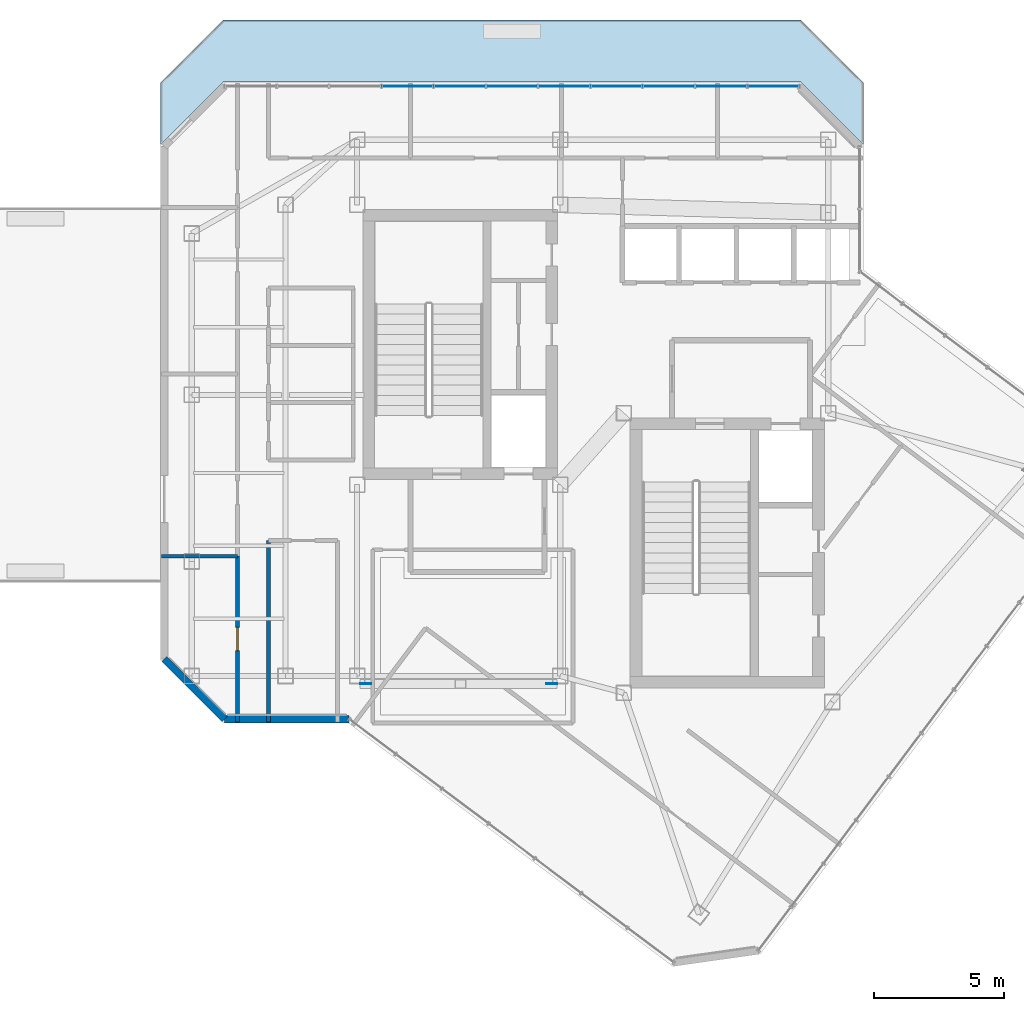
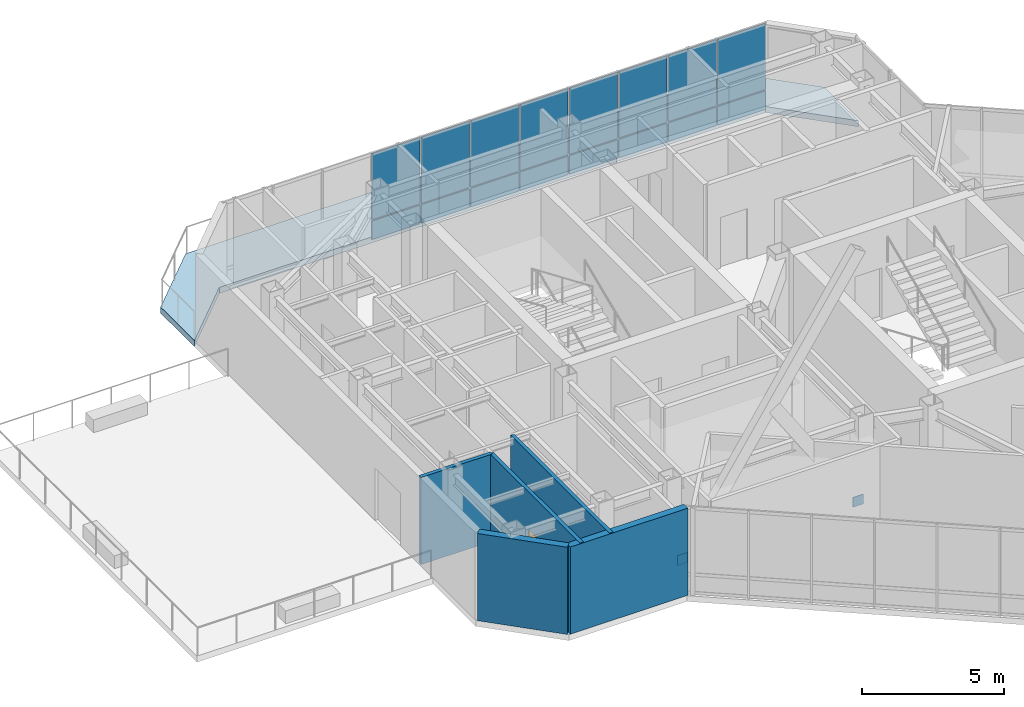
# One storey, part 15 of 21: 18 plates, 5 walls, 1 door, 1 slab, 1 opening, 1 element without a shape of its own.
"""IFC4 building model written with IfcOpenShell, lengths in metres."""

from ifc_helpers import new_model, si_unit, direction, frame, frame_2d, origin, origin_2d, place, context, subcontext, project, spatial, polyline, rectangle, outline, extrude, material, layer, layer_set, type_object, element, fill, aggregate, save


model = new_model("IFC4")

# Units and contexts
model_context = context("Model", 3, precision=1e-05, world=origin(), true_north=direction((0.0, 1.0)))
body_context = subcontext(model_context, "Body", "Model", "MODEL_VIEW")
ifc_project = project(units=[si_unit("LENGTHUNIT", "METRE"), si_unit("AREAUNIT", "SQUARE_METRE"), si_unit("VOLUMEUNIT", "CUBIC_METRE"), si_unit("PLANEANGLEUNIT", "RADIAN"), si_unit("MASSUNIT", "GRAM", prefix="KILO")], contexts=[model_context])

# Site, building, storey
site_placement = place(None, origin())
site = spatial("IfcSite", under=ifc_project, at=site_placement, CompositionType="ELEMENT")
building_placement = place(site_placement, origin())
building = spatial("IfcBuilding", under=site, at=building_placement, Name="Hatsunagi Terrace Concourse", CompositionType="ELEMENT")
storey_placement = place(building_placement, frame((0.0, 0.0, 265.949951171875)))
storey = spatial("IfcBuildingStorey", under=building, at=storey_placement, Name="L70", CompositionType="ELEMENT", Elevation=265.949951171875)

# Curtain wall, plates
ifc_material_1 = material(Name="Anodised Aluminium Alloy 6063-T5", Category="aluminium")
ifc_layer_1 = layer(ifc_material_1, 0.199951171875)
ifc_layer_set_1 = layer_set([ifc_layer_1], Name="CrownWintergarden_CW06")
curtain_wall_type = type_object("IfcCurtainWallType", Name="CrownWintergarden_CW06", PredefinedType="NOTDEFINED", material=ifc_layer_set_1)
curtain_wall_placement = place(storey_placement, origin())
curtain_wall = element("IfcCurtainWall", 1, at=curtain_wall_placement, inside=storey, type_object=curtain_wall_type, Name="Unitised Curtain Wall CW-06 CW-L70-10", PredefinedType="NOTDEFINED")
ifc_material_2 = material(Name="Warm Terracotta Ceramic Spandrel Panel", Category="masonry")
ifc_layer_2 = layer(ifc_material_2, 0.031982421875)
ifc_layer_set_2 = layer_set([ifc_layer_2], Name="CurtainWallSpandrelPanel_32")
plate_type_1 = type_object("IfcPlateType", Name="CurtainWallSpandrelPanel_32", PredefinedType="SHEET", material=ifc_layer_set_2)
plate_1_placement = place(storey_placement, frame((27.485107421875, 47.860107421875, 0.030029296875), z_axis=(0.0, 0.0, 1.0), x_axis=(1.0, 0.0, 0.0)))
plate_1 = element("IfcPlate", 2, at=plate_1_placement, type_object=plate_type_1, Name="Terracotta Spandrel Panel SPN-01", PredefinedType="SHEET", context=body_context, shape_type="SweptSolid", body=[
    extrude(rectangle(XDim=1.952880859375, YDim=0.031982421875, at=origin_2d()), origin(), (0.0, 0.0, 1.0), 0.7900390625),
])
plate_2_placement = place(storey_placement, frame((29.491943359375, 47.860107421875, 0.030029296875), z_axis=(0.0, 0.0, 1.0), x_axis=(1.0, 0.0, 0.0)))
plate_2 = element("IfcPlate", 3, at=plate_2_placement, type_object=plate_type_1, Name="Terracotta Spandrel Panel SPN-01", PredefinedType="SHEET", context=body_context, shape_type="SweptSolid", body=[
    extrude(rectangle(XDim=1.952880859375, YDim=0.031982421875, at=origin_2d()), origin(), (0.0, 0.0, 1.0), 0.7900390625),
])
plate_3_placement = place(storey_placement, frame((31.5, 47.860107421875, 0.030029296875), z_axis=(0.0, 0.0, 1.0), x_axis=(1.0, 0.0, 0.0)))
plate_3 = element("IfcPlate", 4, at=plate_3_placement, type_object=plate_type_1, Name="Terracotta Spandrel Panel SPN-01", PredefinedType="SHEET", context=body_context, shape_type="SweptSolid", body=[
    extrude(rectangle(XDim=1.952880859375, YDim=0.031982421875, at=origin_2d()), origin(), (0.0, 0.0, 1.0), 0.7900390625),
])
plate_4_placement = place(storey_placement, frame((33.508056640625, 47.860107421875, 0.030029296875), z_axis=(0.0, 0.0, 1.0), x_axis=(1.0, 0.0, 0.0)))
plate_4 = element("IfcPlate", 5, at=plate_4_placement, type_object=plate_type_1, Name="Terracotta Spandrel Panel SPN-01", PredefinedType="SHEET", context=body_context, shape_type="SweptSolid", body=[
    extrude(rectangle(XDim=1.952880859375, YDim=0.031982421875, at=origin_2d()), origin(), (0.0, 0.0, 1.0), 0.7900390625),
])
plate_5_placement = place(storey_placement, frame((35.514892578125, 47.860107421875, 0.030029296875), z_axis=(0.0, 0.0, 1.0), x_axis=(1.0, 0.0, 0.0)))
plate_5 = element("IfcPlate", 6, at=plate_5_placement, type_object=plate_type_1, Name="Terracotta Spandrel Panel SPN-01", PredefinedType="SHEET", context=body_context, shape_type="SweptSolid", body=[
    extrude(rectangle(XDim=1.952880859375, YDim=0.031982421875, at=origin_2d()), origin(), (0.0, 0.0, 1.0), 0.7900390625),
])
plate_6_placement = place(storey_placement, frame((37.52294921875, 47.860107421875, 0.030029296875), z_axis=(0.0, 0.0, 1.0), x_axis=(1.0, 0.0, 0.0)))
plate_6 = element("IfcPlate", 7, at=plate_6_placement, type_object=plate_type_1, Name="Terracotta Spandrel Panel SPN-01", PredefinedType="SHEET", context=body_context, shape_type="SweptSolid", body=[
    extrude(rectangle(XDim=1.952880859375, YDim=0.031982421875, at=origin_2d()), origin(), (0.0, 0.0, 1.0), 0.7900390625),
])
plate_7_placement = place(storey_placement, frame((39.531005859375, 47.860107421875, 0.030029296875), z_axis=(0.0, 0.0, 1.0), x_axis=(1.0, 0.0, 0.0)))
plate_7 = element("IfcPlate", 8, at=plate_7_placement, type_object=plate_type_1, Name="Terracotta Spandrel Panel SPN-01", PredefinedType="SHEET", context=body_context, shape_type="SweptSolid", body=[
    extrude(rectangle(XDim=1.952880859375, YDim=0.031982421875, at=origin_2d()), origin(), (0.0, 0.0, 1.0), 0.7900390625),
])
plate_8_placement = place(storey_placement, frame((41.5380859375, 47.860107421875, 0.030029296875), z_axis=(0.0, 0.0, 1.0), x_axis=(1.0, 0.0, 0.0)))
plate_8 = element("IfcPlate", 9, at=plate_8_placement, type_object=plate_type_1, Name="Terracotta Spandrel Panel SPN-01", PredefinedType="SHEET", context=body_context, shape_type="SweptSolid", body=[
    extrude(rectangle(XDim=1.952880859375, YDim=0.031982421875, at=origin_2d()), origin(), (0.0, 0.0, 1.0), 0.7900390625),
])
ifc_material_3 = material(Name="Low-E Double Insulating Glass 28mm", Category="glass")
ifc_layer_3 = layer(ifc_material_3, 0.028076171875)
ifc_layer_set_3 = layer_set([ifc_layer_3], Name="CurtainWallVisionGlass_28")
plate_type_2 = type_object("IfcPlateType", Name="CurtainWallVisionGlass_28", PredefinedType="CURTAIN_PANEL", material=ifc_layer_set_3)
plate_9_placement = place(storey_placement, frame((27.485107421875, 47.860107421875, 0.8798828125), z_axis=(0.0, 0.0, 1.0), x_axis=(1.0, 0.0, 0.0)))
plate_9 = element("IfcPlate", 10, at=plate_9_placement, type_object=plate_type_2, Name="Low-E Vision Glass Panel GLZ-01", PredefinedType="CURTAIN_PANEL", context=body_context, shape_type="SweptSolid", body=[
    extrude(rectangle(XDim=1.952880859375, YDim=0.028076171875, at=origin_2d()), origin(), (0.0, 0.0, 1.0), 2.840087890625),
])
plate_10_placement = place(storey_placement, frame((29.491943359375, 47.860107421875, 0.8798828125), z_axis=(0.0, 0.0, 1.0), x_axis=(1.0, 0.0, 0.0)))
plate_10 = element("IfcPlate", 11, at=plate_10_placement, type_object=plate_type_2, Name="Low-E Vision Glass Panel GLZ-01", PredefinedType="CURTAIN_PANEL", context=body_context, shape_type="SweptSolid", body=[
    extrude(rectangle(XDim=1.952880859375, YDim=0.028076171875, at=origin_2d()), origin(), (0.0, 0.0, 1.0), 2.840087890625),
])
plate_11_placement = place(storey_placement, frame((31.5, 47.860107421875, 0.8798828125), z_axis=(0.0, 0.0, 1.0), x_axis=(1.0, 0.0, 0.0)))
plate_11 = element("IfcPlate", 12, at=plate_11_placement, type_object=plate_type_2, Name="Low-E Vision Glass Panel GLZ-01", PredefinedType="CURTAIN_PANEL", context=body_context, shape_type="SweptSolid", body=[
    extrude(rectangle(XDim=1.952880859375, YDim=0.028076171875, at=origin_2d()), origin(), (0.0, 0.0, 1.0), 2.840087890625),
])
plate_12_placement = place(storey_placement, frame((33.508056640625, 47.860107421875, 0.8798828125), z_axis=(0.0, 0.0, 1.0), x_axis=(1.0, 0.0, 0.0)))
plate_12 = element("IfcPlate", 13, at=plate_12_placement, type_object=plate_type_2, Name="Low-E Vision Glass Panel GLZ-01", PredefinedType="CURTAIN_PANEL", context=body_context, shape_type="SweptSolid", body=[
    extrude(rectangle(XDim=1.952880859375, YDim=0.028076171875, at=origin_2d()), origin(), (0.0, 0.0, 1.0), 2.840087890625),
])
plate_13_placement = place(storey_placement, frame((35.514892578125, 47.860107421875, 0.8798828125), z_axis=(0.0, 0.0, 1.0), x_axis=(1.0, 0.0, 0.0)))
plate_13 = element("IfcPlate", 14, at=plate_13_placement, type_object=plate_type_2, Name="Low-E Vision Glass Panel GLZ-01", PredefinedType="CURTAIN_PANEL", context=body_context, shape_type="SweptSolid", body=[
    extrude(rectangle(XDim=1.952880859375, YDim=0.028076171875, at=origin_2d()), origin(), (0.0, 0.0, 1.0), 2.840087890625),
])
plate_14_placement = place(storey_placement, frame((37.52294921875, 47.860107421875, 0.8798828125), z_axis=(0.0, 0.0, 1.0), x_axis=(1.0, 0.0, 0.0)))
plate_14 = element("IfcPlate", 15, at=plate_14_placement, type_object=plate_type_2, Name="Low-E Vision Glass Panel GLZ-01", PredefinedType="CURTAIN_PANEL", context=body_context, shape_type="SweptSolid", body=[
    extrude(rectangle(XDim=1.952880859375, YDim=0.028076171875, at=origin_2d()), origin(), (0.0, 0.0, 1.0), 2.840087890625),
])
plate_15_placement = place(storey_placement, frame((39.531005859375, 47.860107421875, 0.8798828125), z_axis=(0.0, 0.0, 1.0), x_axis=(1.0, 0.0, 0.0)))
plate_15 = element("IfcPlate", 16, at=plate_15_placement, type_object=plate_type_2, Name="Low-E Vision Glass Panel GLZ-01", PredefinedType="CURTAIN_PANEL", context=body_context, shape_type="SweptSolid", body=[
    extrude(rectangle(XDim=1.952880859375, YDim=0.028076171875, at=origin_2d()), origin(), (0.0, 0.0, 1.0), 2.840087890625),
])
plate_16_placement = place(storey_placement, frame((41.5380859375, 47.860107421875, 0.8798828125), z_axis=(0.0, 0.0, 1.0), x_axis=(1.0, 0.0, 0.0)))
plate_16 = element("IfcPlate", 17, at=plate_16_placement, type_object=plate_type_2, Name="Low-E Vision Glass Panel GLZ-01", PredefinedType="CURTAIN_PANEL", context=body_context, shape_type="SweptSolid", body=[
    extrude(rectangle(XDim=1.952880859375, YDim=0.028076171875, at=origin_2d()), origin(), (0.0, 0.0, 1.0), 2.840087890625),
])
aggregate(curtain_wall, [plate_1, plate_9, plate_2, plate_10, plate_3, plate_11, plate_4, plate_12, plate_5, plate_13, plate_6, plate_14, plate_7, plate_15, plate_8, plate_16])

# Slab
ifc_material_4 = material(Name="Concrete Fc42", Category="concrete")
ifc_layer_4 = layer(ifc_material_4, 0.260009765625)
ifc_layer_set_4 = layer_set([ifc_layer_4], Name="SkyGardenTerraceSlab_Fc42_260")
slab_type = type_object("IfcSlabType", Name="SkyGardenTerraceSlab_Fc42_260", PredefinedType="ROOF", material=ifc_layer_set_4)
slab_placement = place(storey_placement, frame((0.0, 0.0, -0.25)))
element("IfcSlab", 18, at=slab_placement, inside=storey, type_object=slab_type, Name="Crown Step Terrace TER-L70-2", PredefinedType="ROOF", context=body_context, shape_type="SweptSolid", body=[
    extrude(outline(polyline([(18.0, 48.0), (18.0, 45.616943359375), (20.39501953125, 48.011962890625), (42.60498046875, 48.011962890625), (45.0, 45.616943359375), (45.0, 48.0), (42.60009765625, 50.39990234375), (20.39990234375, 50.39990234375), (18.0, 48.0)])), origin(), (0.0, 0.0, 1.0), 0.260009765625),
])

# Plates
ifc_material_5 = material(Name="Steel SN490C", Category="steel")
ifc_layer_5 = layer(ifc_material_5, 0.031982421875)
ifc_layer_set_5 = layer_set([ifc_layer_5], Name="XBraceNodeCapPlate_32")
plate_type_3 = type_object("IfcPlateType", Name="XBraceNodeCapPlate_32", PredefinedType="USERDEFINED", material=ifc_layer_set_5)
for number, where, z_axis, x_axis, name in (
    (19, (25.875, 24.89990234375, 0.22998046875), (0.0, 0.0, 1.0), (1.0, 0.0, 0.0), "Cast-In Core and Node Embed Plate GP-02 EP-XB-L70-SE-AB"),
    (20, (33.02490234375, 24.89990234375, 0.22998046875), (0.0, 0.0, 1.0), (1.0, 0.0, 0.0), "Cast-In Core and Node Embed Plate GP-02 EP-XB-L70-SE-BB"),
):
    element("IfcPlate", number, at=place(storey_placement, frame(where, z_axis=z_axis, x_axis=x_axis)), inside=storey, type_object=plate_type_3, Name=name, ObjectType="GUSSET_PLATE", PredefinedType="USERDEFINED", context=body_context, shape_type="SweptSolid", body=[
        extrude(rectangle(XDim=0.419921875, YDim=0.031982421875, at=origin_2d()), origin(), (0.0, 0.0, 1.0), 0.419921875),
    ])

# Wall
ifc_material_6 = material(Name="Acoustic mineral board", Category="gypsum")
ifc_layer_6 = layer(ifc_material_6, 0.14990234375)
ifc_layer_set_6 = layer_set([ifc_layer_6], Name="PartitionWall_EI60_150")
wall_type_1 = type_object("IfcWallType", Name="PartitionWall_EI60_150", PredefinedType="PARTITIONING", material=ifc_layer_set_6)
wall_1_placement = place(storey_placement, frame((18.0400390625, 29.800048828125, 0.0), z_axis=(0.0, 0.0, 1.0), x_axis=(1.0, 0.0, 0.0)))
element("IfcWall", 21, at=wall_1_placement, inside=storey, type_object=wall_type_1, Name="Interior Partition IW-L70-041", PredefinedType="PARTITIONING", context=body_context, shape_type="SweptSolid", body=[
    extrude(rectangle(XDim=2.909912109375, YDim=0.14990234375, at=frame_2d((1.455078125, 0.0))), origin(), (0.0, 0.0, 1.0), 3.75),
])

# Wall, opening, door
wall_2_placement = place(storey_placement, frame((20.949951171875, 23.43994140625, 0.0), z_axis=(0.0, 0.0, 1.0), x_axis=(0.0, 1.0, 0.0)))
wall_2 = element("IfcWall", 22, at=wall_2_placement, inside=storey, type_object=wall_type_1, Name="Interior Partition IW-L70-042", PredefinedType="PARTITIONING", context=body_context, shape_type="SweptSolid", body=[
    extrude(rectangle(XDim=6.360107421875, YDim=0.14990234375, at=frame_2d((3.18017578125, 0.0))), origin(), (0.0, 0.0, 1.0), 3.75),
])
opening_placement = place(wall_2_placement, frame((2.72998046875, 0.0, 0.0)))
opening = element("IfcOpeningElement", 23, at=opening_placement, cuts=wall_2, Name="Opening DR-090", PredefinedType="OPENING", context=body_context, shape_type="SweptSolid", body=[
    extrude(rectangle(XDim=0.89990234375, YDim=2.14990234375, at=frame_2d((0.449951171875, 1.074951171875))), frame((0.0, 0.0849609375, 0.0), z_axis=(0.0, -1.0, 0.0), x_axis=(1.0, 0.0, 0.0)), (0.0, 0.0, 1.0), 0.169921875),
])
ifc_material_7 = material(Name="Hardwood timber", Category="wood")
door_type = type_object("IfcDoorType", Name="CrownPavilionDoor_EI30_900", OperationType="NOTDEFINED", PredefinedType="DOOR", material=ifc_material_7)
door_placement = place(opening_placement, origin())
door = element("IfcDoor", 24, at=door_placement, inside=storey, type_object=door_type, Name="Crown Executive Suite L70-CRW1 Door", OperationType="SINGLE_SWING_RIGHT", OverallHeight=2.14990234375, OverallWidth=0.89990234375, PredefinedType="DOOR", context=body_context, shape_type="SweptSolid", body=[
    extrude(rectangle(XDim=0.89990234375, YDim=2.14990234375, at=frame_2d((0.449951171875, 1.074951171875))), frame((0.0, 0.02490234375, 0.0), z_axis=(0.0, -1.0, 0.0), x_axis=(1.0, 0.0, 0.0)), (0.0, 0.0, 1.0), 0.050048828125),
])
fill(opening, door)

# Walls
wall_3_placement = place(storey_placement, frame((22.14990234375, 23.43994140625, 0.0), z_axis=(0.0, 0.0, 1.0), x_axis=(0.0, 1.0, 0.0)))
element("IfcWall", 25, at=wall_3_placement, inside=storey, type_object=wall_type_1, Name="Interior Partition IW-L70-049", PredefinedType="PARTITIONING", context=body_context, shape_type="SweptSolid", body=[
    extrude(rectangle(XDim=6.9599609375, YDim=0.14990234375, at=frame_2d((3.47998046875, 0.0))), origin(), (0.0, 0.0, 1.0), 3.75),
])
ifc_material_8 = material(Name="Autoclaved Lightweight Concrete and Terracotta Cladding", Category="masonry")
ifc_layer_7 = layer(ifc_material_8, 0.280029296875)
ifc_layer_set_7 = layer_set([ifc_layer_7], Name="TerracottaSpandrelWall_280")
wall_type_2 = type_object("IfcWallType", Name="TerracottaSpandrelWall_280", PredefinedType="STANDARD", material=ifc_layer_set_7)
wall_4_placement = place(storey_placement, frame((25.2470703125, 23.5400390625, 0.0), z_axis=(0.0, 0.0, 1.0), x_axis=(-1.0, 0.0, 0.0)))
element("IfcWall", 26, at=wall_4_placement, inside=storey, type_object=wall_type_2, Name="Exterior Spandrel Wall EW-L70-06", PredefinedType="STANDARD", context=body_context, shape_type="SweptSolid", body=[
    extrude(rectangle(XDim=4.7890625, YDim=0.280029296875, at=frame_2d((2.39453125, 0.0))), origin(), (0.0, 0.0, 1.0), 3.75),
])
wall_5_placement = place(storey_placement, frame((20.4580078125, 23.5400390625, 0.0), z_axis=(0.0, 0.0, 1.0), x_axis=(-0.707144017911, 0.707069542501, 0.0)))
element("IfcWall", 27, at=wall_5_placement, inside=storey, type_object=wall_type_2, Name="Exterior Spandrel Wall EW-L70-07", PredefinedType="STANDARD", context=body_context, shape_type="SweptSolid", body=[
    extrude(rectangle(XDim=3.278076171875, YDim=0.280029296875, at=frame_2d((1.63916015625, 0.0))), origin(), (0.0, 0.0, 1.0), 3.75),
])

save(model, "model.ifc")
